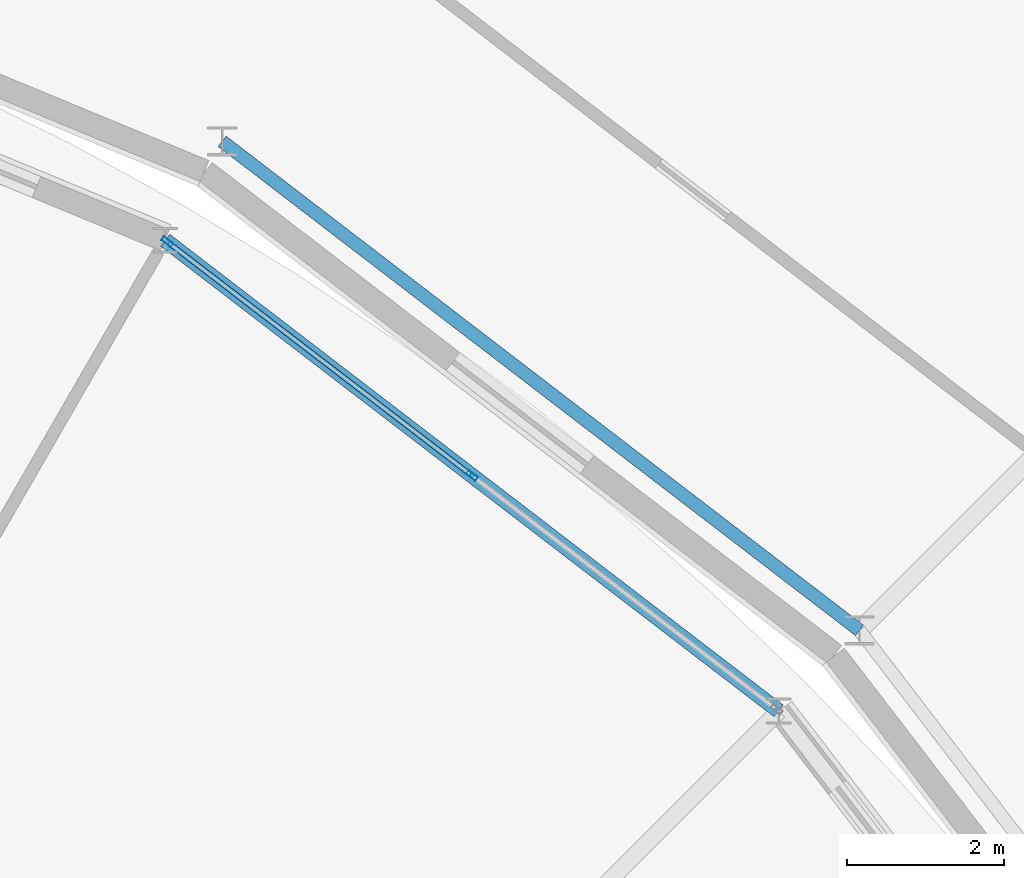
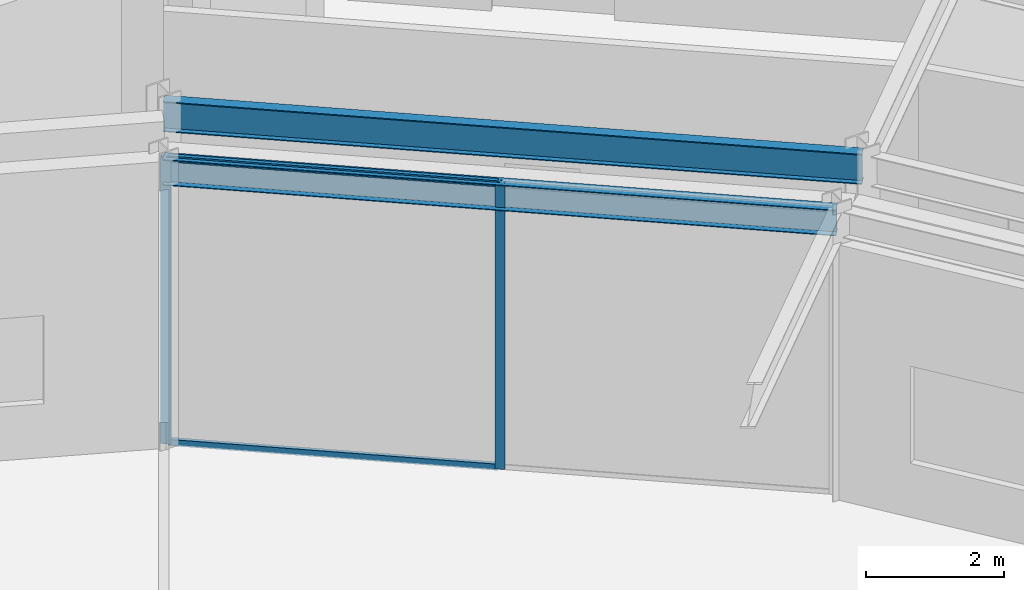
# One storey, part 89 of 168: 4 members, 2 beams, 1 element without a shape of its own.
"""IFC4 building model written with IfcOpenShell, lengths in metres."""

from ifc_helpers import new_model, si_unit, direction, frame, origin, origin_2d, place, context, subcontext, project, spatial, hollow_rectangle, i_section, extrude, material, material_profile, profile_set, type_object, element, aggregate, save


model = new_model("IFC4")

# Units and contexts
model_context = context("Model", 3, precision=1e-05, world=origin(), true_north=direction((0.0, 1.0)))
body_context = subcontext(model_context, "Body", "Model", "MODEL_VIEW")
ifc_project = project(units=[si_unit("LENGTHUNIT", "METRE"), si_unit("AREAUNIT", "SQUARE_METRE"), si_unit("VOLUMEUNIT", "CUBIC_METRE"), si_unit("PLANEANGLEUNIT", "RADIAN"), si_unit("MASSUNIT", "GRAM", prefix="KILO")], contexts=[model_context])

# Site, building, storey
site_placement = place(None, origin())
site = spatial("IfcSite", under=ifc_project, at=site_placement, CompositionType="ELEMENT")
building_placement = place(site_placement, origin())
building = spatial("IfcBuilding", under=site, at=building_placement, Name="Almandine Court Research Institute", CompositionType="ELEMENT")
storey_placement = place(building_placement, origin())
storey = spatial("IfcBuildingStorey", under=building, at=storey_placement, Name="L00", CompositionType="ELEMENT", Elevation=0.0)

# Beams
ifc_material_1 = material(Name="Steel ASTM A992 Grade 50", Category="steel")
ifc_material_profile_1 = material_profile(ifc_material_1, i_section(OverallWidth=0.18994140625, OverallDepth=0.45703125, WebThickness=0.009033203125, FlangeThickness=0.014892578125, at=origin_2d()), Name="W460x74")
ifc_profile_set_1 = profile_set([ifc_material_profile_1], Name="Steel ASTM A992 Grade 50")
beam_type_1 = type_object("IfcBeamType", Name="Beam-B-01", PredefinedType="BEAM", material=ifc_profile_set_1)
beam_1_placement = place(storey_placement, frame((113.623046875, 82.623046875, 4.841064453125), z_axis=(-0.793391623282, 0.608711534396, 0.0), x_axis=(-0.608711534396, -0.793391623282, 0.0)))
element("IfcBeam", 1, at=beam_1_placement, inside=storey, type_object=beam_type_1, Name="L00 Atrium Outer Ring Beam", PredefinedType="BEAM", context=body_context, shape_type="SweptSolid", body=[
    extrude(i_section(OverallWidth=0.18994140625, OverallDepth=0.45703125, WebThickness=0.009033203125, FlangeThickness=0.014892578125, at=origin_2d()), origin(), (0.0, 0.0, 1.0), 9.828857421875),
])
ifc_material_profile_2 = material_profile(ifc_material_1, i_section(OverallWidth=0.166015625, OverallDepth=0.534912109375, WebThickness=0.010009765625, FlangeThickness=0.01708984375, at=origin_2d()), Name="W530x85")
ifc_profile_set_2 = profile_set([ifc_material_profile_2], Name="Steel ASTM A992 Grade 50")
beam_type_2 = type_object("IfcBeamType", Name="Beam-G-05-E", PredefinedType="SPANDREL", material=ifc_profile_set_2)
beam_2_placement = place(storey_placement, frame((114.64794921875, 83.64794921875, 4.802978515625), z_axis=(-0.793335653042, 0.608784478787, 0.0), x_axis=(-0.608784478787, -0.793335653042, 0.0)))
element("IfcBeam", 2, at=beam_2_placement, inside=storey, type_object=beam_type_2, Name="L00 Drum IN Ring Beam 03", PredefinedType="SPANDREL", context=body_context, shape_type="SweptSolid", body=[
    extrude(i_section(OverallWidth=0.166015625, OverallDepth=0.534912109375, WebThickness=0.010009765625, FlangeThickness=0.01708984375, at=origin_2d()), origin(), (0.0, 0.0, 1.0), 10.20751953125),
])

# Curtain wall, members
ifc_material_2 = material(Name="Unitised Curtain Wall Framing and Solar Glazing", Category="glass")
curtain_wall_type = type_object("IfcCurtainWallType", Name="CW-CWG-23", PredefinedType="USERDEFINED", material=ifc_material_2)
curtain_wall_placement = place(storey_placement, origin())
curtain_wall = element("IfcCurtainWall", 3, at=curtain_wall_placement, inside=storey, type_object=curtain_wall_type, Name="L00 Interaction Atrium Perimeter Curtain Wall 03", ObjectType="UNITISED GLAZING", PredefinedType="USERDEFINED")
ifc_material_3 = material(Name="Anodised Aluminium AW-6063-T6", Category="aluminium")
ifc_material_profile_3 = material_profile(ifc_material_3, hollow_rectangle(XDim=0.06005859375, YDim=0.14990234375, WallThickness=0.00390625, at=origin_2d()), Name="ALU RHS 60x150x4")
ifc_profile_set_3 = profile_set([ifc_material_profile_3], Name="Anodised Aluminium AW-6063-T6")
member_type_1 = type_object("IfcMemberType", Name="CWMul-60x150", PredefinedType="MULLION", material=ifc_profile_set_3)
member_1_placement = place(storey_placement, frame((105.851806640625, 88.585693359375, 0.0), z_axis=(0.0, 0.0, 1.0), x_axis=(0.608760667029, 0.793353924979, 0.0)))
member_1 = element("IfcMember", 4, at=member_1_placement, type_object=member_type_1, Name="CWG-23 mullion 1", PredefinedType="MULLION", context=body_context, shape_type="SweptSolid", body=[
    extrude(hollow_rectangle(XDim=0.06005859375, YDim=0.14990234375, WallThickness=0.00390625, at=origin_2d()), origin(), (0.0, 0.0, 1.0), 5.070068359375),
])
member_2_placement = place(storey_placement, frame((109.72412109375, 85.614501953125, 0.0), z_axis=(0.0, 0.0, 1.0), x_axis=(0.608760667029, 0.793353924979, 0.0)))
member_2 = element("IfcMember", 5, at=member_2_placement, type_object=member_type_1, Name="CWG-23 mullion 2", PredefinedType="MULLION", context=body_context, shape_type="SweptSolid", body=[
    extrude(hollow_rectangle(XDim=0.06005859375, YDim=0.14990234375, WallThickness=0.00390625, at=origin_2d()), origin(), (0.0, 0.0, 1.0), 5.070068359375),
])
ifc_material_profile_4 = material_profile(ifc_material_3, hollow_rectangle(XDim=0.06005859375, YDim=0.110107421875, WallThickness=0.00390625, at=origin_2d()), Name="ALU RHS 60x110x4")
ifc_profile_set_4 = profile_set([ifc_material_profile_4], Name="Anodised Aluminium AW-6063-T6")
member_type_2 = type_object("IfcMemberType", Name="CWTrn-60x110", PredefinedType="NOTDEFINED", material=ifc_profile_set_4)
member_3_placement = place(storey_placement, frame((105.87548828125, 88.5673828125, 0.030029296875), z_axis=(0.793376443338, -0.608731319349, 0.0), x_axis=(0.608731319349, 0.793376443338, 0.0)))
member_3 = element("IfcMember", 6, at=member_3_placement, type_object=member_type_2, Name="CWG-23 transom 1.1", ObjectType="TRANSOM", PredefinedType="USERDEFINED", context=body_context, shape_type="SweptSolid", body=[
    extrude(hollow_rectangle(XDim=0.06005859375, YDim=0.110107421875, WallThickness=0.00390625, at=origin_2d()), origin(), (0.0, 0.0, 1.0), 4.82080078125),
])
member_4_placement = place(storey_placement, frame((105.87548828125, 88.5673828125, 5.0400390625), z_axis=(0.793376443338, -0.608731319349, 0.0), x_axis=(0.608731319349, 0.793376443338, 0.0)))
member_4 = element("IfcMember", 7, at=member_4_placement, type_object=member_type_2, Name="CWG-23 transom 1.2", ObjectType="TRANSOM", PredefinedType="USERDEFINED", context=body_context, shape_type="SweptSolid", body=[
    extrude(hollow_rectangle(XDim=0.06005859375, YDim=0.110107421875, WallThickness=0.00390625, at=origin_2d()), origin(), (0.0, 0.0, 1.0), 4.82080078125),
])
aggregate(curtain_wall, [member_1, member_2, member_3, member_4])

save(model, "model.ifc")
